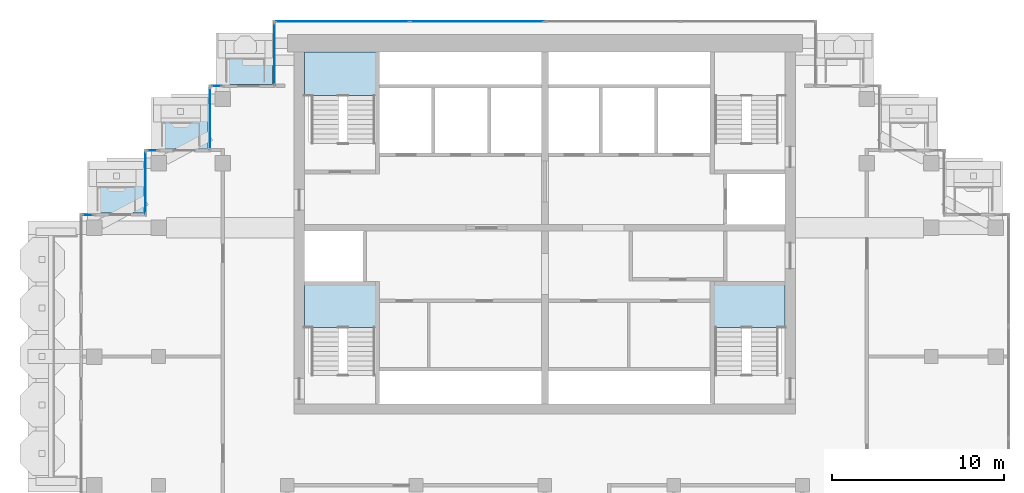
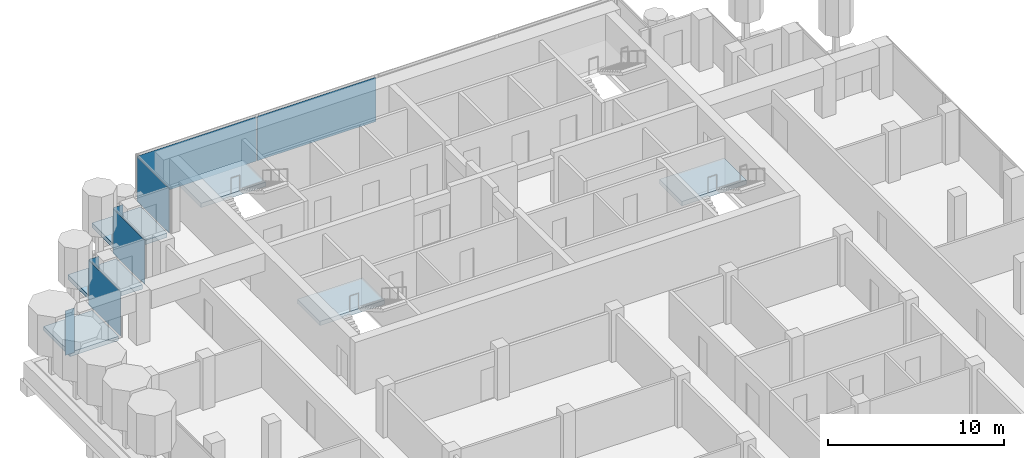
# One storey, part 9 of 18: 8 plates, 6 slabs, 10 elements without a shape of their own.
"""IFC4 building model written with IfcOpenShell, lengths in metres."""

from ifc_helpers import new_model, si_unit, direction, frame, origin, origin_2d, place, context, subcontext, project, spatial, polyline, rectangle, outline, extrude, material, layer, layer_set, type_object, element, aggregate, save


model = new_model("IFC4")

# Units and contexts
model_context = context("Model", 3, precision=1e-05, world=origin(), true_north=direction((0.0, 1.0)))
body_context = subcontext(model_context, "Body", "Model", "MODEL_VIEW")
ifc_project = project(units=[si_unit("LENGTHUNIT", "METRE"), si_unit("AREAUNIT", "SQUARE_METRE"), si_unit("VOLUMEUNIT", "CUBIC_METRE"), si_unit("PLANEANGLEUNIT", "RADIAN"), si_unit("MASSUNIT", "GRAM", prefix="KILO")], contexts=[model_context])

# Site, building, storey
site_placement = place(None, origin())
site = spatial("IfcSite", under=ifc_project, at=site_placement, CompositionType="ELEMENT")
building_placement = place(site_placement, origin())
building = spatial("IfcBuilding", under=site, at=building_placement, Name="Pilkhan Gate Tower", CompositionType="ELEMENT")
storey_placement = place(building_placement, frame((0.0, 0.0, 249.89990234375)))
storey = spatial("IfcBuildingStorey", under=building, at=storey_placement, Name="L65", CompositionType="ELEMENT", Elevation=249.89990234375)

# Slabs
ifc_material_1 = material(Name="Concrete C60/75", Category="concrete")
ifc_layer_1 = layer(ifc_material_1, 0.300048828125)
ifc_layer_set_1 = layer_set([ifc_layer_1], Name="Balcony tray slab TR300")
slab_type_1 = type_object("IfcSlabType", Name="Balcony tray slab TR300", PredefinedType="FLOOR", material=ifc_layer_set_1)
slab_1_placement = place(storey_placement, frame((0.0, 0.0, -0.2998046875)))
element("IfcSlab", 1, at=slab_1_placement, inside=storey, type_object=slab_type_1, Name="Balcony tray L65 N", PredefinedType="FLOOR", context=body_context, shape_type="SweptSolid", body=[
    extrude(outline(polyline([(59.14990234375, 90.85009765625), (59.14990234375, 93.85009765625), (55.949951171875, 93.85009765625), (55.949951171875, 90.85009765625), (59.14990234375, 90.85009765625)])), origin(), (0.0, 0.0, 1.0), 0.2998046875),
])
slab_2_placement = place(storey_placement, frame((0.0, 0.0, -0.2998046875)))
element("IfcSlab", 2, at=slab_2_placement, inside=storey, type_object=slab_type_1, Name="Balcony tray L65 N", PredefinedType="FLOOR", context=body_context, shape_type="SweptSolid", body=[
    extrude(outline(polyline([(55.3798828125, 87.1201171875), (55.3798828125, 90.10009765625), (52.199951171875, 90.10009765625), (52.199951171875, 87.1201171875), (55.3798828125, 87.1201171875)])), origin(), (0.0, 0.0, 1.0), 0.2998046875),
])
slab_3_placement = place(storey_placement, frame((0.0, 0.0, -0.2998046875)))
element("IfcSlab", 3, at=slab_3_placement, inside=storey, type_object=slab_type_1, Name="Balcony tray L65 N", PredefinedType="FLOOR", context=body_context, shape_type="SweptSolid", body=[
    extrude(outline(polyline([(51.6298828125, 83.3701171875), (51.6298828125, 86.35009765625), (48.449951171875, 86.35009765625), (48.449951171875, 83.3701171875), (51.6298828125, 83.3701171875)])), origin(), (0.0, 0.0, 1.0), 0.2998046875),
])

# Curtain wall, plates
ifc_material_2 = material(Name="Pale anodised aluminium, clear low-iron double glazing", Category="aluminium")
curtain_wall_type = type_object("IfcCurtainWallType", Name="Office unitised curtain wall CW-O2", PredefinedType="USERDEFINED", material=ifc_material_2)
curtain_wall_1_placement = place(storey_placement, origin())
curtain_wall_1 = element("IfcCurtainWall", 4, at=curtain_wall_1_placement, inside=storey, type_object=curtain_wall_type, Name="Office unitised curtain wall CW-O2 L65 N", ObjectType="UNITISED CURTAIN WALL", PredefinedType="USERDEFINED")
ifc_material_3 = material(Name="Clear low-iron double glazing", Category="glass")
ifc_layer_2 = layer(ifc_material_3, 0.031982421875)
ifc_layer_set_2 = layer_set([ifc_layer_2], Name="Glass panel CW-O2 32")
plate_type = type_object("IfcPlateType", Name="Glass panel CW-O2 32", PredefinedType="CURTAIN_PANEL", material=ifc_layer_set_2)
plate_1_placement = place(storey_placement, frame((63.203857421875, 94.5, 0.0), z_axis=(0.0, 0.0, 1.0), x_axis=(1.0, 0.0, 0.0)))
plate_1 = element("IfcPlate", 5, at=plate_1_placement, type_object=plate_type, Name="CW-O2 panel 1", PredefinedType="CURTAIN_PANEL", context=body_context, shape_type="SweptSolid", body=[
    extrude(rectangle(XDim=7.777587890625, YDim=0.031982421875, at=origin_2d()), origin(), (0.0, 0.0, 1.0), 3.0849609375),
])
plate_2_placement = place(storey_placement, frame((71.046142578125, 94.5, 0.0), z_axis=(0.0, 0.0, 1.0), x_axis=(1.0, 0.0, 0.0)))
plate_2 = element("IfcPlate", 6, at=plate_2_placement, type_object=plate_type, Name="CW-O2 panel 2", PredefinedType="CURTAIN_PANEL", context=body_context, shape_type="SweptSolid", body=[
    extrude(rectangle(XDim=7.777587890625, YDim=0.031982421875, at=origin_2d()), origin(), (0.0, 0.0, 1.0), 3.0849609375),
])
aggregate(curtain_wall_1, [plate_1, plate_2])

# Curtain wall, plate
curtain_wall_2_placement = place(storey_placement, origin())
curtain_wall_2 = element("IfcCurtainWall", 7, at=curtain_wall_2_placement, inside=storey, type_object=curtain_wall_type, Name="Office unitised curtain wall CW-O2 L65 W", ObjectType="UNITISED CURTAIN WALL", PredefinedType="USERDEFINED")
plate_3_placement = place(storey_placement, frame((59.25, 92.625, 0.0), z_axis=(0.0, 0.0, 1.0), x_axis=(0.0, 1.0, 0.0)))
plate_3 = element("IfcPlate", 8, at=plate_3_placement, type_object=plate_type, Name="CW-O2 panel 1", PredefinedType="CURTAIN_PANEL", context=body_context, shape_type="SweptSolid", body=[
    extrude(rectangle(XDim=3.6201171875, YDim=0.031982421875, at=origin_2d()), origin(), (0.0, 0.0, 1.0), 3.0849609375),
])
aggregate(curtain_wall_2, [plate_3])

curtain_wall_3_placement = place(storey_placement, origin())
curtain_wall_3 = element("IfcCurtainWall", 9, at=curtain_wall_3_placement, inside=storey, type_object=curtain_wall_type, Name="Office unitised curtain wall CW-O2 L65 N", ObjectType="UNITISED CURTAIN WALL", PredefinedType="USERDEFINED")
plate_4_placement = place(storey_placement, frame((55.875, 90.75, 0.0), z_axis=(0.0, 0.0, 1.0), x_axis=(1.0, 0.0, 0.0)))
plate_4 = element("IfcPlate", 10, at=plate_4_placement, type_object=plate_type, Name="CW-O2 panel 1", PredefinedType="CURTAIN_PANEL", context=body_context, shape_type="SweptSolid", body=[
    extrude(rectangle(XDim=0.6201171875, YDim=0.031982421875, at=origin_2d()), origin(), (0.0, 0.0, 1.0), 3.0849609375),
])
aggregate(curtain_wall_3, [plate_4])

curtain_wall_4_placement = place(storey_placement, origin())
curtain_wall_4 = element("IfcCurtainWall", 11, at=curtain_wall_4_placement, inside=storey, type_object=curtain_wall_type, Name="Office unitised curtain wall CW-O2 L65 W", ObjectType="UNITISED CURTAIN WALL", PredefinedType="USERDEFINED")
plate_5_placement = place(storey_placement, frame((55.5, 88.875, 0.0), z_axis=(0.0, 0.0, 1.0), x_axis=(0.0, 1.0, 0.0)))
plate_5 = element("IfcPlate", 12, at=plate_5_placement, type_object=plate_type, Name="CW-O2 panel 1", PredefinedType="CURTAIN_PANEL", context=body_context, shape_type="SweptSolid", body=[
    extrude(rectangle(XDim=3.6201171875, YDim=0.031982421875, at=origin_2d()), origin(), (0.0, 0.0, 1.0), 3.0849609375),
])
aggregate(curtain_wall_4, [plate_5])

curtain_wall_5_placement = place(storey_placement, origin())
curtain_wall_5 = element("IfcCurtainWall", 13, at=curtain_wall_5_placement, inside=storey, type_object=curtain_wall_type, Name="Office unitised curtain wall CW-O2 L65 N", ObjectType="UNITISED CURTAIN WALL", PredefinedType="USERDEFINED")
plate_6_placement = place(storey_placement, frame((52.125, 87.0, 0.0), z_axis=(0.0, 0.0, 1.0), x_axis=(1.0, 0.0, 0.0)))
plate_6 = element("IfcPlate", 14, at=plate_6_placement, type_object=plate_type, Name="CW-O2 panel 1", PredefinedType="CURTAIN_PANEL", context=body_context, shape_type="SweptSolid", body=[
    extrude(rectangle(XDim=0.6201171875, YDim=0.031982421875, at=origin_2d()), origin(), (0.0, 0.0, 1.0), 3.0849609375),
])
aggregate(curtain_wall_5, [plate_6])

curtain_wall_6_placement = place(storey_placement, origin())
curtain_wall_6 = element("IfcCurtainWall", 15, at=curtain_wall_6_placement, inside=storey, type_object=curtain_wall_type, Name="Office unitised curtain wall CW-O2 L65 W", ObjectType="UNITISED CURTAIN WALL", PredefinedType="USERDEFINED")
plate_7_placement = place(storey_placement, frame((51.75, 85.125, 0.0), z_axis=(0.0, 0.0, 1.0), x_axis=(0.0, 1.0, 0.0)))
plate_7 = element("IfcPlate", 16, at=plate_7_placement, type_object=plate_type, Name="CW-O2 panel 1", PredefinedType="CURTAIN_PANEL", context=body_context, shape_type="SweptSolid", body=[
    extrude(rectangle(XDim=3.6201171875, YDim=0.031982421875, at=origin_2d()), origin(), (0.0, 0.0, 1.0), 3.0849609375),
])
aggregate(curtain_wall_6, [plate_7])

curtain_wall_7_placement = place(storey_placement, origin())
curtain_wall_7 = element("IfcCurtainWall", 17, at=curtain_wall_7_placement, inside=storey, type_object=curtain_wall_type, Name="Office unitised curtain wall CW-O2 L65 N", ObjectType="UNITISED CURTAIN WALL", PredefinedType="USERDEFINED")
plate_8_placement = place(storey_placement, frame((48.375, 83.25, 0.0), z_axis=(0.0, 0.0, 1.0), x_axis=(1.0, 0.0, 0.0)))
plate_8 = element("IfcPlate", 18, at=plate_8_placement, type_object=plate_type, Name="CW-O2 panel 1", PredefinedType="CURTAIN_PANEL", context=body_context, shape_type="SweptSolid", body=[
    extrude(rectangle(XDim=0.6201171875, YDim=0.031982421875, at=origin_2d()), origin(), (0.0, 0.0, 1.0), 3.0849609375),
])
aggregate(curtain_wall_7, [plate_8])

# Stair, slab
ifc_material_4 = material(Name="Concrete C40/50 precast", Category="concrete")
stair_type_1 = type_object("IfcStairType", Name="Stair ST1 164x280", PredefinedType="HALF_TURN_STAIR", material=ifc_material_4)
stair_1_placement = place(storey_placement, origin())
stair_1 = element("IfcStair", 19, at=stair_1_placement, inside=storey, type_object=stair_type_1, Name="Stair ST1 L65", PredefinedType="HALF_TURN_STAIR")
ifc_material_5 = material(Name="Concrete C40/50", Category="concrete")
ifc_layer_3 = layer(ifc_material_5, 0.199951171875)
ifc_layer_set_3 = layer_set([ifc_layer_3], Name="Stair landing SL200")
slab_type_2 = type_object("IfcSlabType", Name="Stair landing SL200", PredefinedType="LANDING", material=ifc_layer_set_3)
slab_4_placement = place(storey_placement, frame((0.0, 0.0, 1.5)))
slab_4 = element("IfcSlab", 20, at=slab_4_placement, type_object=slab_type_2, Name="ST1 landing 1", PredefinedType="LANDING", context=body_context, shape_type="SweptSolid", body=[
    extrude(outline(polyline([(89.0, 76.699951171875), (89.0, 79.25), (84.75, 79.25), (84.75, 76.699951171875), (89.0, 76.699951171875)])), origin(), (0.0, 0.0, 1.0), 0.300048828125),
])
aggregate(stair_1, [slab_4])

stair_type_2 = type_object("IfcStairType", Name="Stair ST2 164x280", PredefinedType="HALF_TURN_STAIR", material=ifc_material_4)
stair_2_placement = place(storey_placement, origin())
stair_2 = element("IfcStair", 21, at=stair_2_placement, inside=storey, type_object=stair_type_2, Name="Stair ST2 L65", PredefinedType="HALF_TURN_STAIR")
slab_5_placement = place(storey_placement, frame((0.0, 0.0, 1.5)))
slab_5 = element("IfcSlab", 22, at=slab_5_placement, type_object=slab_type_2, Name="ST2 landing 1", PredefinedType="LANDING", context=body_context, shape_type="SweptSolid", body=[
    extrude(outline(polyline([(65.25, 76.699951171875), (65.25, 79.25), (61.0, 79.25), (61.0, 76.699951171875), (65.25, 76.699951171875)])), origin(), (0.0, 0.0, 1.0), 0.300048828125),
])
aggregate(stair_2, [slab_5])

stair_type_3 = type_object("IfcStairType", Name="Stair ST3 164x280", PredefinedType="HALF_TURN_STAIR", material=ifc_material_4)
stair_3_placement = place(storey_placement, origin())
stair_3 = element("IfcStair", 23, at=stair_3_placement, inside=storey, type_object=stair_type_3, Name="Stair ST3 L65", PredefinedType="HALF_TURN_STAIR")
slab_6_placement = place(storey_placement, frame((0.0, 0.0, 1.5)))
slab_6 = element("IfcSlab", 24, at=slab_6_placement, type_object=slab_type_2, Name="ST3 landing 1", PredefinedType="LANDING", context=body_context, shape_type="SweptSolid", body=[
    extrude(outline(polyline([(65.25, 90.199951171875), (65.25, 92.75), (61.0, 92.75), (61.0, 90.199951171875), (65.25, 90.199951171875)])), origin(), (0.0, 0.0, 1.0), 0.300048828125),
])
aggregate(stair_3, [slab_6])

save(model, "model.ifc")
